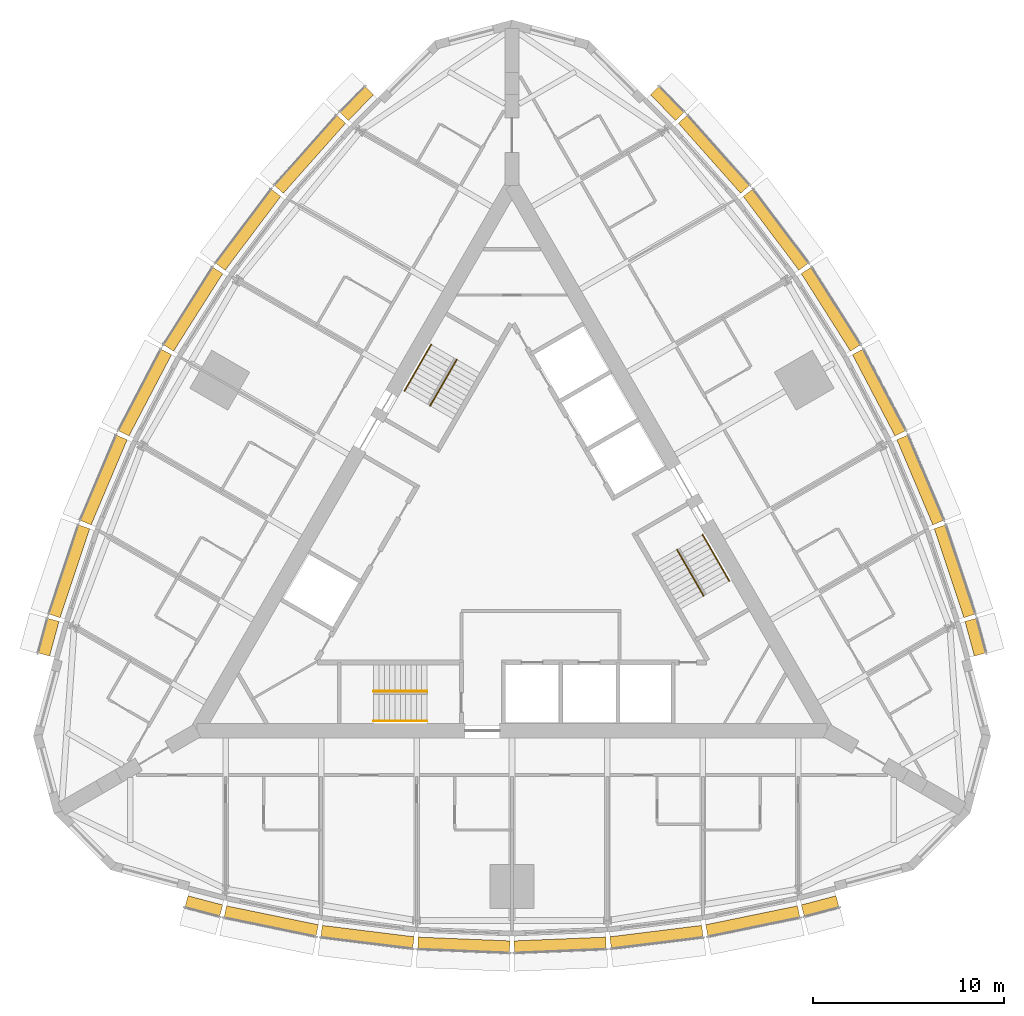
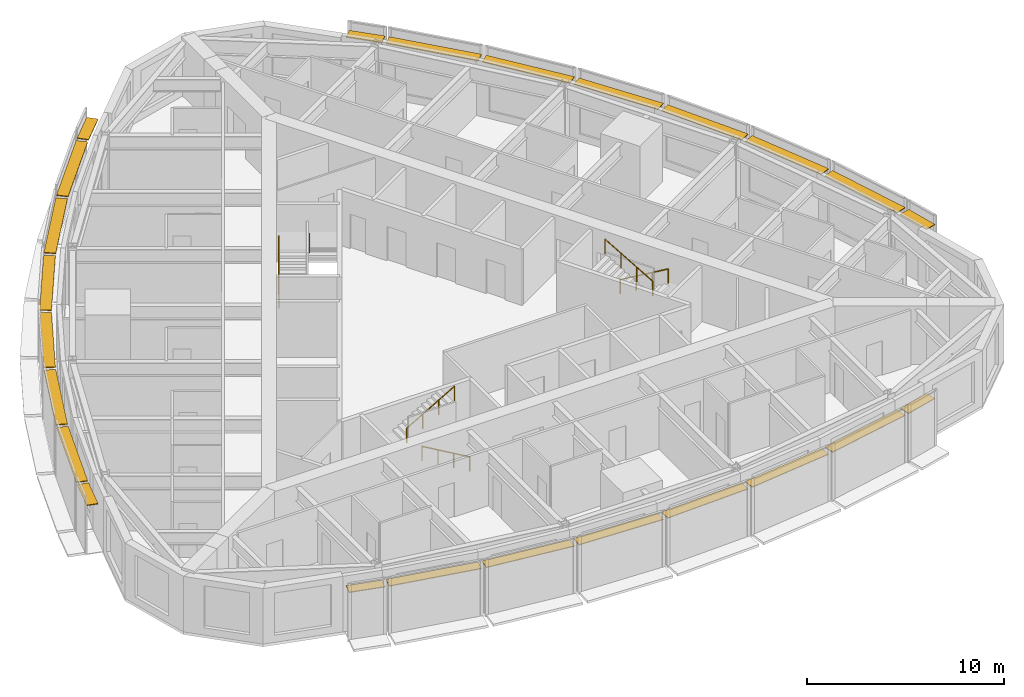
# One storey, part 15 of 15: 24 shading devices, 6 railings.
"""IFC4 building model written with IfcOpenShell, lengths in metres."""

from ifc_helpers import new_model, si_unit, direction, frame, origin, origin_2d, place, context, subcontext, project, spatial, rectangle, circle, extrude, material, type_object, element, save


model = new_model("IFC4")

# Units and contexts
model_context = context("Model", 3, precision=1e-05, world=origin(), true_north=direction((0.0, 1.0)))
body_context = subcontext(model_context, "Body", "Model", "MODEL_VIEW")
ifc_project = project(units=[si_unit("LENGTHUNIT", "METRE"), si_unit("AREAUNIT", "SQUARE_METRE"), si_unit("VOLUMEUNIT", "CUBIC_METRE"), si_unit("PLANEANGLEUNIT", "RADIAN"), si_unit("MASSUNIT", "GRAM", prefix="KILO")], contexts=[model_context])

# Site, building, storey
site_placement = place(None, origin())
site = spatial("IfcSite", under=ifc_project, at=site_placement, CompositionType="ELEMENT")
building_placement = place(site_placement, origin())
building = spatial("IfcBuilding", under=site, at=building_placement, Name="Trikona Tower", CompositionType="ELEMENT")
storey_placement = place(building_placement, frame((0.0, 0.0, 215.300048828125)))
storey = spatial("IfcBuildingStorey", under=building, at=storey_placement, Name="L57", CompositionType="ELEMENT", Elevation=215.300048828125)

# Shading devices
ifc_material_1 = material(Name="Aluminium louvre blade, pale anodised", Category="aluminium")
shading_device_type = type_object("IfcShadingDeviceType", Name="Cavity louvre 600", PredefinedType="USERDEFINED", material=ifc_material_1)
shading_device_1_placement = place(storey_placement, frame((-16.14404296875, -18.707763671875, 2.97509765625), z_axis=(0.0, 0.0, 1.0), x_axis=(0.966993038714, -0.254802792527, 0.0)))
element("IfcShadingDevice", 1, at=shading_device_1_placement, inside=storey, type_object=shading_device_type, Name="Cavity louvre L57-00", ObjectType="LOUVRE", PredefinedType="USERDEFINED", context=body_context, shape_type="SweptSolid", body=[
    extrude(rectangle(XDim=1.87841796875, YDim=0.60009765625, at=origin_2d()), origin(), (0.0, 0.0, 1.0), 0.050048828125),
])
shading_device_2_placement = place(storey_placement, frame((-12.614013671875, -19.492919921875, 2.97509765625), z_axis=(0.0, 0.0, 1.0), x_axis=(0.979457514864, -0.201650629992, 0.0)))
element("IfcShadingDevice", 2, at=shading_device_2_placement, inside=storey, type_object=shading_device_type, Name="Cavity louvre L57-01", ObjectType="LOUVRE", PredefinedType="USERDEFINED", context=body_context, shape_type="SweptSolid", body=[
    extrude(rectangle(XDim=4.914794921875, YDim=0.60009765625, at=origin_2d()), origin(), (0.0, 0.0, 1.0), 0.050048828125),
])
shading_device_3_placement = place(storey_placement, frame((-7.5693359375, -20.323974609375, 2.97509765625), z_axis=(0.0, 0.0, 1.0), x_axis=(0.992455266199, -0.122607277901, 0.0)))
element("IfcShadingDevice", 3, at=shading_device_3_placement, inside=storey, type_object=shading_device_type, Name="Cavity louvre L57-02", ObjectType="LOUVRE", PredefinedType="USERDEFINED", context=body_context, shape_type="SweptSolid", body=[
    extrude(rectangle(XDim=4.847900390625, YDim=0.60009765625, at=origin_2d()), origin(), (0.0, 0.0, 1.0), 0.050048828125),
])
for number, where, z_axis, x_axis, name in (
    (4, (-2.523193359375, -20.739501953125, 2.97509765625), (0.0, 0.0, 1.0), (0.999153186307, -0.041144991109, 0.0), "Cavity louvre L57-03"),
    (5, (2.523193359375, -20.739501953125, 2.97509765625), (0.0, 0.0, 1.0), (0.999153186307, 0.041144991109, 0.0), "Cavity louvre L57-04"),
):
    element("IfcShadingDevice", number, at=place(storey_placement, frame(where, z_axis=z_axis, x_axis=x_axis)), inside=storey, type_object=shading_device_type, Name=name, ObjectType="LOUVRE", PredefinedType="USERDEFINED", context=body_context, shape_type="SweptSolid", body=[
        extrude(rectangle(XDim=4.814208984375, YDim=0.60009765625, at=origin_2d()), origin(), (0.0, 0.0, 1.0), 0.050048828125),
    ])
shading_device_4_placement = place(storey_placement, frame((7.5693359375, -20.323974609375, 2.97509765625), z_axis=(0.0, 0.0, 1.0), x_axis=(0.992455266199, 0.122607277901, 0.0)))
element("IfcShadingDevice", 6, at=shading_device_4_placement, inside=storey, type_object=shading_device_type, Name="Cavity louvre L57-05", ObjectType="LOUVRE", PredefinedType="USERDEFINED", context=body_context, shape_type="SweptSolid", body=[
    extrude(rectangle(XDim=4.847900390625, YDim=0.60009765625, at=origin_2d()), origin(), (0.0, 0.0, 1.0), 0.050048828125),
])
shading_device_5_placement = place(storey_placement, frame((12.614013671875, -19.492919921875, 2.97509765625), z_axis=(0.0, 0.0, 1.0), x_axis=(0.979457514864, 0.201650629992, 0.0)))
element("IfcShadingDevice", 7, at=shading_device_5_placement, inside=storey, type_object=shading_device_type, Name="Cavity louvre L57-06", ObjectType="LOUVRE", PredefinedType="USERDEFINED", context=body_context, shape_type="SweptSolid", body=[
    extrude(rectangle(XDim=4.914794921875, YDim=0.60009765625, at=origin_2d()), origin(), (0.0, 0.0, 1.0), 0.050048828125),
])
for number, where, z_axis, x_axis, name in (
    (8, (16.14404296875, -18.707763671875, 2.97509765625), (0.0, 0.0, 1.0), (0.966993038714, 0.254802792527, 0.0), "Cavity louvre L57-07"),
    (9, (24.273193359375, -4.627197265625, 2.97509765625), (0.0, 0.0, 1.0), (-0.262822408229, 0.964844226667, 0.0), "Cavity louvre L57-12"),
):
    element("IfcShadingDevice", number, at=place(storey_placement, frame(where, z_axis=z_axis, x_axis=x_axis)), inside=storey, type_object=shading_device_type, Name=name, ObjectType="LOUVRE", PredefinedType="USERDEFINED", context=body_context, shape_type="SweptSolid", body=[
        extrude(rectangle(XDim=1.87841796875, YDim=0.60009765625, at=origin_2d()), origin(), (0.0, 0.0, 1.0), 0.050048828125),
    ])
shading_device_6_placement = place(storey_placement, frame((23.1884765625, -1.177490234375, 2.97509765625), z_axis=(0.0, 0.0, 1.0), x_axis=(-0.315092532747, 0.949060954737, 0.0)))
element("IfcShadingDevice", 10, at=shading_device_6_placement, inside=storey, type_object=shading_device_type, Name="Cavity louvre L57-13", ObjectType="LOUVRE", PredefinedType="USERDEFINED", context=body_context, shape_type="SweptSolid", body=[
    extrude(rectangle(XDim=4.914794921875, YDim=0.60009765625, at=origin_2d()), origin(), (0.0, 0.0, 1.0), 0.050048828125),
])
shading_device_7_placement = place(storey_placement, frame((21.385498046875, 3.606689453125, 2.97509765625), z_axis=(0.0, 0.0, 1.0), x_axis=(-0.390051437015, 0.920793069306, 0.0)))
element("IfcShadingDevice", 11, at=shading_device_7_placement, inside=storey, type_object=shading_device_type, Name="Cavity louvre L57-14", ObjectType="LOUVRE", PredefinedType="USERDEFINED", context=body_context, shape_type="SweptSolid", body=[
    extrude(rectangle(XDim=4.847900390625, YDim=0.60009765625, at=origin_2d()), origin(), (0.0, 0.0, 1.0), 0.050048828125),
])
for number, where, z_axis, x_axis, name in (
    (12, (19.222412109375, 8.1845703125, 2.97509765625), (0.0, 0.0, 1.0), (-0.463951716224, 0.885860488459, 0.0), "Cavity louvre L57-15"),
    (13, (16.69921875, 12.554931640625, 2.97509765625), (0.0, 0.0, 1.0), (-0.535204777743, 0.844722348397, 0.0), "Cavity louvre L57-16"),
):
    element("IfcShadingDevice", number, at=place(storey_placement, frame(where, z_axis=z_axis, x_axis=x_axis)), inside=storey, type_object=shading_device_type, Name=name, ObjectType="LOUVRE", PredefinedType="USERDEFINED", context=body_context, shape_type="SweptSolid", body=[
        extrude(rectangle(XDim=4.814208984375, YDim=0.60009765625, at=origin_2d()), origin(), (0.0, 0.0, 1.0), 0.050048828125),
    ])
shading_device_8_placement = place(storey_placement, frame((13.81640625, 16.717041015625, 2.97509765625), z_axis=(0.0, 0.0, 1.0), x_axis=(-0.602401684924, 0.798193090674, 0.0)))
element("IfcShadingDevice", 14, at=shading_device_8_placement, inside=storey, type_object=shading_device_type, Name="Cavity louvre L57-17", ObjectType="LOUVRE", PredefinedType="USERDEFINED", context=body_context, shape_type="SweptSolid", body=[
    extrude(rectangle(XDim=4.847900390625, YDim=0.60009765625, at=origin_2d()), origin(), (0.0, 0.0, 1.0), 0.050048828125),
])
shading_device_9_placement = place(storey_placement, frame((10.574462890625, 20.67041015625, 2.97509765625), z_axis=(0.0, 0.0, 1.0), x_axis=(-0.664367239113, 0.747406296196, 0.0)))
element("IfcShadingDevice", 15, at=shading_device_9_placement, inside=storey, type_object=shading_device_type, Name="Cavity louvre L57-18", ObjectType="LOUVRE", PredefinedType="USERDEFINED", context=body_context, shape_type="SweptSolid", body=[
    extrude(rectangle(XDim=4.914794921875, YDim=0.60009765625, at=origin_2d()), origin(), (0.0, 0.0, 1.0), 0.050048828125),
])
for number, where, z_axis, x_axis, name in (
    (16, (8.12939453125, 23.3349609375, 2.97509765625), (0.0, 0.0, 1.0), (-0.704151057285, 0.710050201412, 0.0), "Cavity louvre L57-19"),
    (17, (-8.12939453125, 23.3349609375, 2.97509765625), (0.0, 0.0, 1.0), (-0.704151057285, -0.710050201412, 0.0), "Cavity louvre L57-24"),
):
    element("IfcShadingDevice", number, at=place(storey_placement, frame(where, z_axis=z_axis, x_axis=x_axis)), inside=storey, type_object=shading_device_type, Name=name, ObjectType="LOUVRE", PredefinedType="USERDEFINED", context=body_context, shape_type="SweptSolid", body=[
        extrude(rectangle(XDim=1.87841796875, YDim=0.60009765625, at=origin_2d()), origin(), (0.0, 0.0, 1.0), 0.050048828125),
    ])
shading_device_10_placement = place(storey_placement, frame((-10.574462890625, 20.67041015625, 2.97509765625), z_axis=(0.0, 0.0, 1.0), x_axis=(-0.664367239113, -0.747406296196, 0.0)))
element("IfcShadingDevice", 18, at=shading_device_10_placement, inside=storey, type_object=shading_device_type, Name="Cavity louvre L57-25", ObjectType="LOUVRE", PredefinedType="USERDEFINED", context=body_context, shape_type="SweptSolid", body=[
    extrude(rectangle(XDim=4.914794921875, YDim=0.60009765625, at=origin_2d()), origin(), (0.0, 0.0, 1.0), 0.050048828125),
])
shading_device_11_placement = place(storey_placement, frame((-13.81640625, 16.717041015625, 2.97509765625), z_axis=(0.0, 0.0, 1.0), x_axis=(-0.602401684924, -0.798193090674, 0.0)))
element("IfcShadingDevice", 19, at=shading_device_11_placement, inside=storey, type_object=shading_device_type, Name="Cavity louvre L57-26", ObjectType="LOUVRE", PredefinedType="USERDEFINED", context=body_context, shape_type="SweptSolid", body=[
    extrude(rectangle(XDim=4.847900390625, YDim=0.60009765625, at=origin_2d()), origin(), (0.0, 0.0, 1.0), 0.050048828125),
])
for number, where, z_axis, x_axis, name in (
    (20, (-16.69921875, 12.554931640625, 2.97509765625), (0.0, 0.0, 1.0), (-0.535204777743, -0.844722348397, 0.0), "Cavity louvre L57-27"),
    (21, (-19.222412109375, 8.1845703125, 2.97509765625), (0.0, 0.0, 1.0), (-0.463951716224, -0.885860488459, 0.0), "Cavity louvre L57-28"),
):
    element("IfcShadingDevice", number, at=place(storey_placement, frame(where, z_axis=z_axis, x_axis=x_axis)), inside=storey, type_object=shading_device_type, Name=name, ObjectType="LOUVRE", PredefinedType="USERDEFINED", context=body_context, shape_type="SweptSolid", body=[
        extrude(rectangle(XDim=4.814208984375, YDim=0.60009765625, at=origin_2d()), origin(), (0.0, 0.0, 1.0), 0.050048828125),
    ])
shading_device_12_placement = place(storey_placement, frame((-21.385498046875, 3.606689453125, 2.97509765625), z_axis=(0.0, 0.0, 1.0), x_axis=(-0.390051437015, -0.920793069306, 0.0)))
element("IfcShadingDevice", 22, at=shading_device_12_placement, inside=storey, type_object=shading_device_type, Name="Cavity louvre L57-29", ObjectType="LOUVRE", PredefinedType="USERDEFINED", context=body_context, shape_type="SweptSolid", body=[
    extrude(rectangle(XDim=4.847900390625, YDim=0.60009765625, at=origin_2d()), origin(), (0.0, 0.0, 1.0), 0.050048828125),
])
shading_device_13_placement = place(storey_placement, frame((-23.1884765625, -1.177490234375, 2.97509765625), z_axis=(0.0, 0.0, 1.0), x_axis=(-0.315092532747, -0.949060954737, 0.0)))
element("IfcShadingDevice", 23, at=shading_device_13_placement, inside=storey, type_object=shading_device_type, Name="Cavity louvre L57-30", ObjectType="LOUVRE", PredefinedType="USERDEFINED", context=body_context, shape_type="SweptSolid", body=[
    extrude(rectangle(XDim=4.914794921875, YDim=0.60009765625, at=origin_2d()), origin(), (0.0, 0.0, 1.0), 0.050048828125),
])
shading_device_14_placement = place(storey_placement, frame((-24.273193359375, -4.627197265625, 2.97509765625), z_axis=(0.0, 0.0, 1.0), x_axis=(-0.262822408229, -0.964844226667, 0.0)))
element("IfcShadingDevice", 24, at=shading_device_14_placement, inside=storey, type_object=shading_device_type, Name="Cavity louvre L57-31", ObjectType="LOUVRE", PredefinedType="USERDEFINED", context=body_context, shape_type="SweptSolid", body=[
    extrude(rectangle(XDim=1.87841796875, YDim=0.60009765625, at=origin_2d()), origin(), (0.0, 0.0, 1.0), 0.050048828125),
])

# Railings
ifc_material_2 = material(Name="Stainless steel handrail", Category="steel")
railing_type = type_object("IfcRailingType", Name="Stair handrail", PredefinedType="HANDRAIL", material=ifc_material_2)
railing_1_placement = place(storey_placement, frame((-4.449951171875, -9.016357421875, 0.16357421875)))
element("IfcRailing", 25, at=railing_1_placement, inside=storey, type_object=railing_type, Name="Stair handrail A L57 1", PredefinedType="HANDRAIL", context=body_context, shape_type="SweptSolid", body=[
    extrude(circle(Radius=0.02392578125, at=origin_2d()), frame((0.0, 0.0, 0.8759765625), z_axis=(-0.863360870873, 0.0, 0.504586966384), x_axis=(0.0, -1.0, 0.0)), (0.0, 0.0, 1.0), 3.2431640625),
    extrude(circle(Radius=0.02099609375, at=origin_2d()), origin(), (0.0, 0.0, 1.0), 0.851806640625),
    extrude(circle(Radius=0.02099609375, at=origin_2d()), frame((-0.933349609375, 0.0, 0.54541015625)), (0.0, 0.0, 1.0), 0.851806640625),
    extrude(circle(Radius=0.02099609375, at=origin_2d()), frame((-1.86669921875, 0.0, 1.091064453125)), (0.0, 0.0, 1.0), 0.851806640625),
    extrude(circle(Radius=0.02099609375, at=origin_2d()), frame((-2.800048828125, 0.0, 1.636474609375)), (0.0, 0.0, 1.0), 0.851806640625),
])
railing_2_placement = place(storey_placement, frame((-7.25, -7.46630859375, 1.963623046875)))
element("IfcRailing", 26, at=railing_2_placement, inside=storey, type_object=railing_type, Name="Stair handrail A L57 2", PredefinedType="HANDRAIL", context=body_context, shape_type="SweptSolid", body=[
    extrude(circle(Radius=0.02392578125, at=origin_2d()), frame((0.0, 0.0, 0.8759765625), z_axis=(0.863393664356, 0.0, 0.504530851732), x_axis=(0.0, 1.0, 0.0)), (0.0, 0.0, 1.0), 3.2431640625),
    extrude(circle(Radius=0.02099609375, at=origin_2d()), origin(), (0.0, 0.0, 1.0), 0.851806640625),
    extrude(circle(Radius=0.02099609375, at=origin_2d()), frame((0.933349609375, 0.0, 0.54541015625)), (0.0, 0.0, 1.0), 0.851806640625),
    extrude(circle(Radius=0.02099609375, at=origin_2d()), frame((1.86669921875, 0.0, 1.0908203125)), (0.0, 0.0, 1.0), 0.851806640625),
    extrude(circle(Radius=0.02099609375, at=origin_2d()), frame((2.800048828125, 0.0, 1.63623046875)), (0.0, 0.0, 1.0), 0.851806640625),
])
railing_3_placement = place(storey_placement, frame((9.9833984375, 0.740966796875, 0.16357421875)))
element("IfcRailing", 27, at=railing_3_placement, inside=storey, type_object=railing_type, Name="Stair handrail B L57 1", PredefinedType="HANDRAIL", context=body_context, shape_type="SweptSolid", body=[
    extrude(circle(Radius=0.02392578125, at=origin_2d()), frame((0.0, 0.0, 0.8759765625), z_axis=(0.431636334334, -0.747723004699, 0.504579412111), x_axis=(0.866056369097, 0.49994636267, 0.0)), (0.0, 0.0, 1.0), 3.2431640625),
    extrude(circle(Radius=0.02099609375, at=origin_2d()), origin(), (0.0, 0.0, 1.0), 0.851806640625),
    extrude(circle(Radius=0.02099609375, at=origin_2d()), frame((0.466552734375, -0.808349609375, 0.54541015625)), (0.0, 0.0, 1.0), 0.851806640625),
    extrude(circle(Radius=0.02099609375, at=origin_2d()), frame((0.933349609375, -1.61669921875, 1.091064453125)), (0.0, 0.0, 1.0), 0.851806640625),
    extrude(circle(Radius=0.02099609375, at=origin_2d()), frame((1.39990234375, -2.425048828125, 1.636474609375)), (0.0, 0.0, 1.0), 0.851806640625),
])
railing_4_placement = place(storey_placement, frame((10.041015625, -2.458984375, 1.963623046875)))
element("IfcRailing", 28, at=railing_4_placement, inside=storey, type_object=railing_type, Name="Stair handrail B L57 2", PredefinedType="HANDRAIL", context=body_context, shape_type="SweptSolid", body=[
    extrude(circle(Radius=0.02392578125, at=origin_2d()), frame((0.0, 0.0, 0.8759765625), z_axis=(-0.43165272891, 0.747751404999, 0.504523297725), x_axis=(-0.866056369097, -0.49994636267, 0.0)), (0.0, 0.0, 1.0), 3.2431640625),
    extrude(circle(Radius=0.02099609375, at=origin_2d()), origin(), (0.0, 0.0, 1.0), 0.851806640625),
    extrude(circle(Radius=0.02099609375, at=origin_2d()), frame((-0.466552734375, 0.808349609375, 0.54541015625)), (0.0, 0.0, 1.0), 0.851806640625),
    extrude(circle(Radius=0.02099609375, at=origin_2d()), frame((-0.933349609375, 1.61669921875, 1.0908203125)), (0.0, 0.0, 1.0), 0.851806640625),
    extrude(circle(Radius=0.02099609375, at=origin_2d()), frame((-1.39990234375, 2.425048828125, 1.63623046875)), (0.0, 0.0, 1.0), 0.851806640625),
])
railing_5_placement = place(storey_placement, frame((-5.63330078125, 8.275390625, 0.16357421875)))
element("IfcRailing", 29, at=railing_5_placement, inside=storey, type_object=railing_type, Name="Stair handrail C L57 1", PredefinedType="HANDRAIL", context=body_context, shape_type="SweptSolid", body=[
    extrude(circle(Radius=0.02392578125, at=origin_2d()), frame((0.0, 0.0, 0.8759765625), z_axis=(0.431660630283, 0.747689811644, 0.504607813879), x_axis=(-0.866034573852, 0.49998411664, 0.0)), (0.0, 0.0, 1.0), 3.2431640625),
    extrude(circle(Radius=0.02099609375, at=origin_2d()), origin(), (0.0, 0.0, 1.0), 0.851806640625),
    extrude(circle(Radius=0.02099609375, at=origin_2d()), frame((0.466552734375, 0.808349609375, 0.54541015625)), (0.0, 0.0, 1.0), 0.851806640625),
    extrude(circle(Radius=0.02099609375, at=origin_2d()), frame((0.933349609375, 1.616455078125, 1.091064453125)), (0.0, 0.0, 1.0), 0.851806640625),
    extrude(circle(Radius=0.02099609375, at=origin_2d()), frame((1.39990234375, 2.4248046875, 1.636474609375)), (0.0, 0.0, 1.0), 0.851806640625),
])
railing_6_placement = place(storey_placement, frame((-2.89111328125, 9.92529296875, 1.963623046875)))
element("IfcRailing", 30, at=railing_6_placement, inside=storey, type_object=railing_type, Name="Stair handrail C L57 2", PredefinedType="HANDRAIL", context=body_context, shape_type="SweptSolid", body=[
    extrude(circle(Radius=0.02392578125, at=origin_2d()), frame((0.0, 0.0, 0.8759765625), z_axis=(-0.43165272891, -0.747751404999, 0.504523297725), x_axis=(0.866056369097, -0.49994636267, 0.0)), (0.0, 0.0, 1.0), 3.2431640625),
    extrude(circle(Radius=0.02099609375, at=origin_2d()), origin(), (0.0, 0.0, 1.0), 0.851806640625),
    extrude(circle(Radius=0.02099609375, at=origin_2d()), frame((-0.466552734375, -0.808349609375, 0.54541015625)), (0.0, 0.0, 1.0), 0.851806640625),
    extrude(circle(Radius=0.02099609375, at=origin_2d()), frame((-0.933349609375, -1.61669921875, 1.0908203125)), (0.0, 0.0, 1.0), 0.851806640625),
    extrude(circle(Radius=0.02099609375, at=origin_2d()), frame((-1.39990234375, -2.425048828125, 1.63623046875)), (0.0, 0.0, 1.0), 0.851806640625),
])

save(model, "model.ifc")
